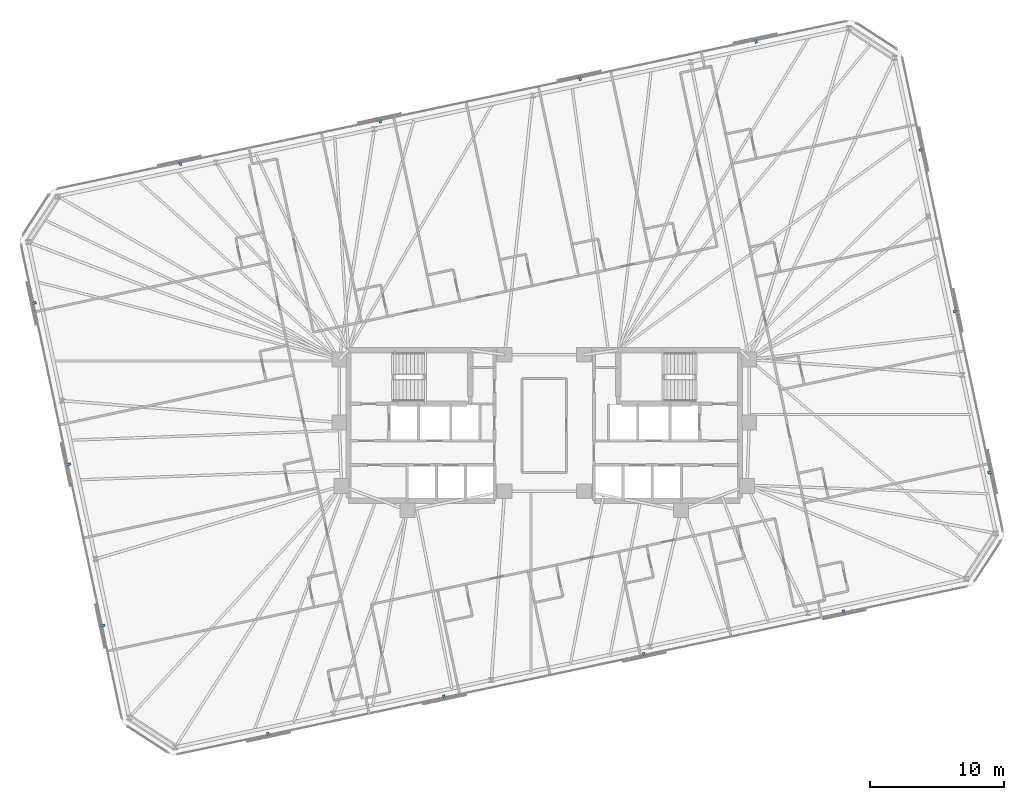
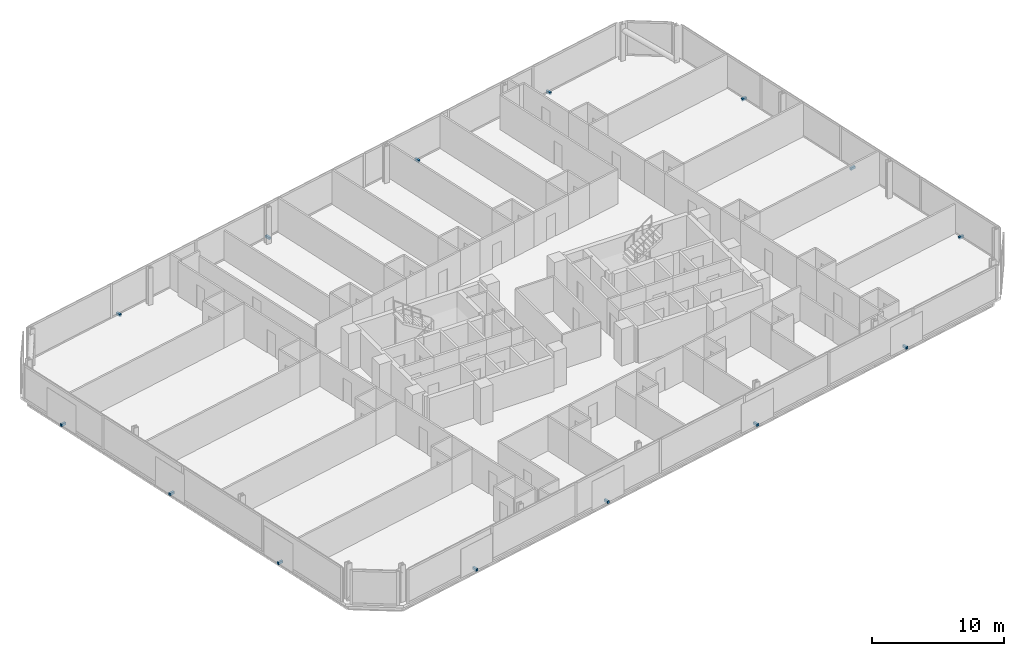
# One storey, part 19 of 20: 14 discrete accessories.
"""IFC4 building model written with IfcOpenShell, lengths in metres."""

from ifc_helpers import new_model, si_unit, direction, frame, origin, origin_2d, place, context, subcontext, project, spatial, rectangle, extrude, material, type_object, element, save


model = new_model("IFC4")

# Units and contexts
model_context = context("Model", 3, precision=1e-05, world=origin(), true_north=direction((0.0, 1.0)))
body_context = subcontext(model_context, "Body", "Model", "MODEL_VIEW")
ifc_project = project(units=[si_unit("LENGTHUNIT", "METRE"), si_unit("AREAUNIT", "SQUARE_METRE"), si_unit("VOLUMEUNIT", "CUBIC_METRE"), si_unit("PLANEANGLEUNIT", "RADIAN"), si_unit("MASSUNIT", "GRAM", prefix="KILO")], contexts=[model_context])

# Site, building, storey
site_placement = place(None, origin())
site = spatial("IfcSite", under=ifc_project, at=site_placement, CompositionType="ELEMENT")
building_placement = place(site_placement, origin())
building = spatial("IfcBuilding", under=site, at=building_placement, Name="Menara Jurai Vektor", CompositionType="ELEMENT")
storey_placement = place(building_placement, frame((0.0, 0.0, 158.199951171875)))
storey = spatial("IfcBuildingStorey", under=building, at=storey_placement, Name="L40", CompositionType="ELEMENT", Elevation=158.199951171875)

# Discrete accessories
ifc_material = material(Name="Steel S355", Category="steel")
discrete_accessory_type = type_object("IfcDiscreteAccessoryType", Name="ENV-ACC-BRACKET", PredefinedType="BRACKET", material=ifc_material)
for number, where, z_axis, x_axis, name in (
    (1, (-20.527099609375, -23.043701171875, -0.1298828125), (0.0, 0.0, 1.0), (0.978147600734, 0.207911690818, 0.0), "Solar Screen Stand-Off Bracket L40-S01"),
    (2, (-7.443115234375, -20.262451171875, -0.1298828125), (0.0, 0.0, 1.0), (0.978147600734, 0.207911690818, 0.0), "Solar Screen Stand-Off Bracket L40-S02"),
    (3, (7.424560546875, -17.102294921875, -0.1298828125), (0.0, 0.0, 1.0), (0.978147600734, 0.207911690818, 0.0), "Solar Screen Stand-Off Bracket L40-S03"),
    (4, (22.29248046875, -13.94189453125, -0.1298828125), (0.0, 0.0, 1.0), (0.978147600734, 0.207911690818, 0.0), "Solar Screen Stand-Off Bracket L40-S04"),
    (5, (33.19580078125, -3.491455078125, -0.1298828125), (0.0, 0.0, 1.0), (-0.207911690818, 0.978147600734, 0.0), "Solar Screen Stand-Off Bracket L40-S05"),
    (6, (30.6455078125, 8.50732421875, -0.1298828125), (0.0, 0.0, 1.0), (-0.207911690818, 0.978147600734, 0.0), "Solar Screen Stand-Off Bracket L40-S06"),
    (7, (28.09521484375, 20.505859375, -0.1298828125), (0.0, 0.0, 1.0), (-0.207911690818, 0.978147600734, 0.0), "Solar Screen Stand-Off Bracket L40-S07"),
    (8, (15.72705078125, 28.6435546875, -0.1298828125), (0.0, 0.0, 1.0), (-0.978147600734, -0.207911690818, 0.0), "Solar Screen Stand-Off Bracket L40-S08"),
    (9, (2.643310546875, 25.862548828125, -0.1298828125), (0.0, 0.0, 1.0), (-0.978147600734, -0.207911690818, 0.0), "Solar Screen Stand-Off Bracket L40-S09"),
    (10, (-12.224609375, 22.702392578125, -0.1298828125), (0.0, 0.0, 1.0), (-0.978147600734, -0.207911690818, 0.0), "Solar Screen Stand-Off Bracket L40-S10"),
    (11, (-27.092529296875, 19.5419921875, -0.1298828125), (0.0, 0.0, 1.0), (-0.978147600734, -0.207911690818, 0.0), "Solar Screen Stand-Off Bracket L40-S11"),
    (12, (-37.995849609375, 9.09130859375, -0.1298828125), (0.0, 0.0, 1.0), (0.207911690818, -0.978147600734, 0.0), "Solar Screen Stand-Off Bracket L40-S12"),
    (13, (-35.445556640625, -2.9072265625, -0.1298828125), (0.0, 0.0, 1.0), (0.207911690818, -0.978147600734, 0.0), "Solar Screen Stand-Off Bracket L40-S13"),
    (14, (-32.895263671875, -14.906005859375, -0.1298828125), (0.0, 0.0, 1.0), (0.207911690818, -0.978147600734, 0.0), "Solar Screen Stand-Off Bracket L40-S14"),
):
    element("IfcDiscreteAccessory", number, at=place(storey_placement, frame(where, z_axis=z_axis, x_axis=x_axis)), inside=storey, type_object=discrete_accessory_type, Name=name, PredefinedType="BRACKET", context=body_context, shape_type="SweptSolid", body=[
        extrude(rectangle(XDim=0.179931640625, YDim=0.43994140625, at=origin_2d()), origin(), (0.0, 0.0, 1.0), 0.219970703125),
    ])

save(model, "model.ifc")
